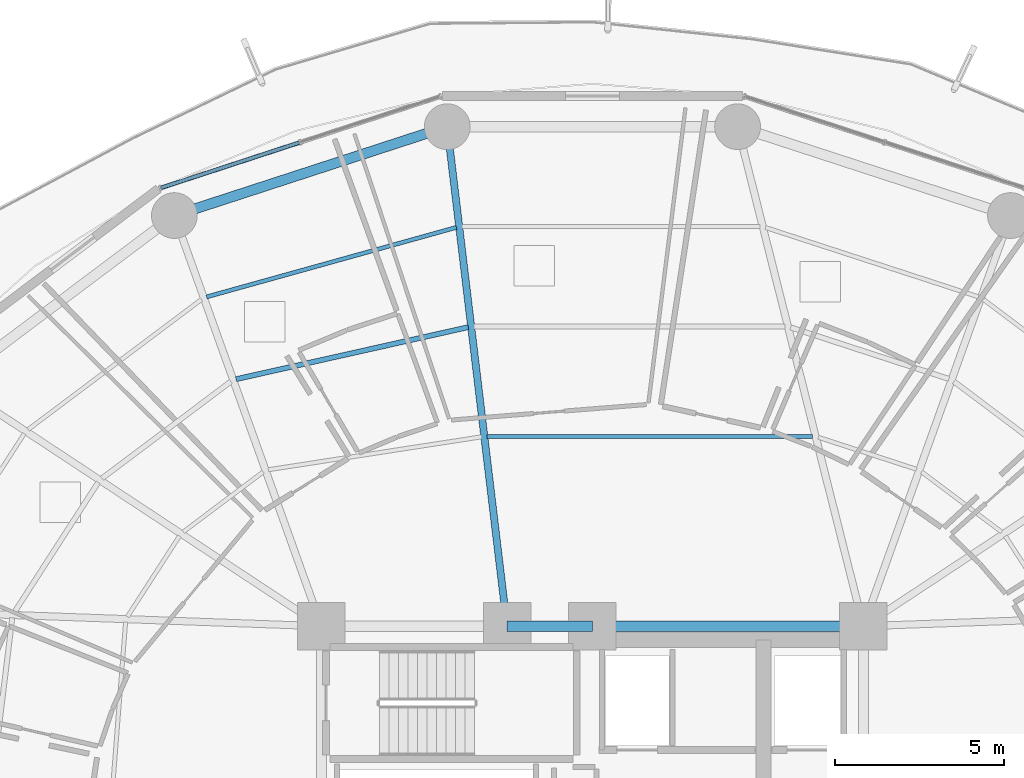
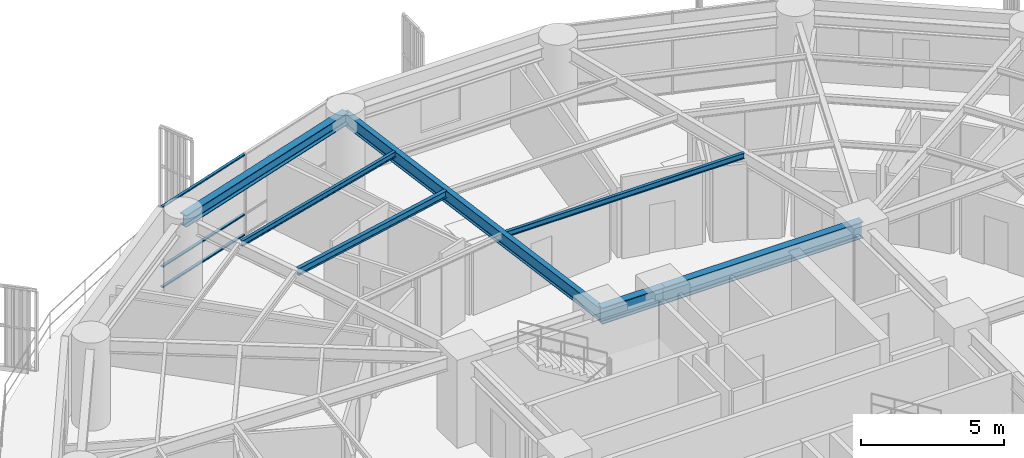
# One storey, part 18 of 33: 7 beams, 3 members, 1 element without a shape of its own.
"""IFC4 building model written with IfcOpenShell, lengths in metres."""

from ifc_helpers import new_model, si_unit, direction, frame, origin, origin_2d, place, context, subcontext, project, spatial, hollow_rectangle, i_section, extrude, material, layer, layer_set, material_profile, profile_set, type_object, element, aggregate, save


model = new_model("IFC4")

# Units and contexts
model_context = context("Model", 3, precision=1e-05, world=origin(), true_north=direction((0.0, 1.0)))
body_context = subcontext(model_context, "Body", "Model", "MODEL_VIEW")
ifc_project = project(units=[si_unit("LENGTHUNIT", "METRE"), si_unit("AREAUNIT", "SQUARE_METRE"), si_unit("VOLUMEUNIT", "CUBIC_METRE"), si_unit("PLANEANGLEUNIT", "RADIAN"), si_unit("MASSUNIT", "GRAM", prefix="KILO")], contexts=[model_context])

# Site, building, storey
site_placement = place(None, origin())
site = spatial("IfcSite", under=ifc_project, at=site_placement, CompositionType="ELEMENT")
building_placement = place(site_placement, origin())
building = spatial("IfcBuilding", under=site, at=building_placement, Name="Kelanora Arch Commons", CompositionType="ELEMENT")
storey_placement = place(building_placement, frame((0.0, 0.0, 80.10009765625)))
storey = spatial("IfcBuildingStorey", under=building, at=storey_placement, Name="L20", CompositionType="ELEMENT", Elevation=80.10009765625)

# Beams
ifc_material_1 = material(Name="Steel S355", Category="steel")
ifc_material_profile_1 = material_profile(ifc_material_1, i_section(OverallWidth=0.300048828125, OverallDepth=0.699951171875, WebThickness=0.01708984375, FlangeThickness=0.031982421875, FilletRadius=0.027099609375, at=origin_2d()), Name="HEB700")
ifc_profile_set_1 = profile_set([ifc_material_profile_1], Name="Steel S355")
beam_type_1 = type_object("IfcBeamType", Name="BM-CORE-HDR", PredefinedType="BEAM", material=ifc_profile_set_1)
beam_1_placement = place(storey_placement, frame((82.0, 65.0, 3.139892578125), z_axis=(-1.0, 0.0, 0.0), x_axis=(0.0, -1.0, 0.0)))
element("IfcBeam", 1, at=beam_1_placement, inside=storey, type_object=beam_type_1, Name="Core Header Beam 05 L20", PredefinedType="BEAM", context=body_context, shape_type="SweptSolid", body=[
    extrude(i_section(OverallWidth=0.300048828125, OverallDepth=0.699951171875, WebThickness=0.01708984375, FlangeThickness=0.031982421875, FilletRadius=0.027099609375, at=origin_2d()), origin(), (0.0, 0.0, 1.0), 8.0),
])
beam_2_placement = place(storey_placement, frame((74.0, 65.0, 3.139892578125), z_axis=(-1.0, 0.0, 0.0), x_axis=(0.0, -1.0, 0.0)))
element("IfcBeam", 2, at=beam_2_placement, inside=storey, type_object=beam_type_1, Name="Core Header Beam 06 L20", PredefinedType="BEAM", context=body_context, shape_type="SweptSolid", body=[
    extrude(i_section(OverallWidth=0.300048828125, OverallDepth=0.699951171875, WebThickness=0.01708984375, FlangeThickness=0.031982421875, FilletRadius=0.027099609375, at=origin_2d()), origin(), (0.0, 0.0, 1.0), 2.52001953125),
])
ifc_material_profile_2 = material_profile(ifc_material_1, i_section(OverallWidth=0.14990234375, OverallDepth=0.300048828125, WebThickness=0.007080078125, FlangeThickness=0.0107421875, FilletRadius=0.014892578125, at=origin_2d()), Name="IPE300")
ifc_profile_set_2 = profile_set([ifc_material_profile_2], Name="Steel S355")
beam_type_2 = type_object("IfcBeamType", Name="BM-JST-01", PredefinedType="JOIST", material=ifc_profile_set_2)
beam_3_placement = place(storey_placement, frame((70.337646484375, 73.828125, 3.33984375), z_axis=(-0.975817048791, -0.218588854449, 0.0), x_axis=(0.218588854449, -0.975817048791, 0.0)))
element("IfcBeam", 3, at=beam_3_placement, inside=storey, type_object=beam_type_2, Name="Secondary Chord Joist BJB-10 L20", PredefinedType="JOIST", context=body_context, shape_type="SweptSolid", body=[
    extrude(i_section(OverallWidth=0.14990234375, OverallDepth=0.300048828125, WebThickness=0.007080078125, FlangeThickness=0.0107421875, FilletRadius=0.014892578125, at=origin_2d()), origin(), (0.0, 0.0, 1.0), 7.028564453125),
])
ifc_material_profile_3 = material_profile(ifc_material_1, i_section(OverallWidth=0.1201171875, OverallDepth=0.239990234375, WebThickness=0.006103515625, FlangeThickness=0.009765625, FilletRadius=0.014892578125, at=origin_2d()), Name="IPE240")
ifc_profile_set_3 = profile_set([ifc_material_profile_3], Name="Steel S355")
beam_type_3 = type_object("IfcBeamType", Name="BM-JST-02", PredefinedType="JOIST", material=ifc_profile_set_3)
beam_4_placement = place(storey_placement, frame((80.50341796875, 70.602783203125, 3.369873046875), z_axis=(-1.0, 0.0, 0.0), x_axis=(0.0, -1.0, 0.0)))
element("IfcBeam", 4, at=beam_4_placement, inside=storey, type_object=beam_type_3, Name="Secondary Chord Joist BJA-08 L20", PredefinedType="JOIST", context=body_context, shape_type="SweptSolid", body=[
    extrude(i_section(OverallWidth=0.1201171875, OverallDepth=0.239990234375, WebThickness=0.006103515625, FlangeThickness=0.009765625, FilletRadius=0.014892578125, at=origin_2d()), origin(), (0.0, 0.0, 1.0), 9.609375),
])
beam_5_placement = place(storey_placement, frame((69.985595703125, 76.77294921875, 3.369873046875), z_axis=(-0.963385760896, -0.268119144603, 0.0), x_axis=(0.268119144603, -0.963385760896, 0.0)))
element("IfcBeam", 5, at=beam_5_placement, inside=storey, type_object=beam_type_3, Name="Secondary Chord Joist BJC-10 L20", PredefinedType="JOIST", context=body_context, shape_type="SweptSolid", body=[
    extrude(i_section(OverallWidth=0.1201171875, OverallDepth=0.239990234375, WebThickness=0.006103515625, FlangeThickness=0.009765625, FilletRadius=0.014892578125, at=origin_2d()), origin(), (0.0, 0.0, 1.0), 7.656005859375),
])
ifc_material_profile_4 = material_profile(ifc_material_1, i_section(OverallWidth=0.2099609375, OverallDepth=0.550048828125, WebThickness=0.010986328125, FlangeThickness=0.01708984375, FilletRadius=0.02392578125, at=origin_2d()), Name="IPE550")
ifc_profile_set_4 = profile_set([ifc_material_profile_4], Name="Steel S355")
beam_type_4 = type_object("IfcBeamType", Name="BM-RAD-Z2", PredefinedType="BEAM", material=ifc_profile_set_4)
beam_6_placement = place(storey_placement, frame((71.47998046875, 65.0, 3.21484375), z_axis=(-0.118897572414, 0.992906524943, 0.0), x_axis=(-0.992906524943, -0.118897572414, 0.0)))
element("IfcBeam", 6, at=beam_6_placement, inside=storey, type_object=beam_type_4, Name="Radial Floor Girder BR-10 L20", PredefinedType="BEAM", context=body_context, shape_type="SweptSolid", body=[
    extrude(i_section(OverallWidth=0.2099609375, OverallDepth=0.550048828125, WebThickness=0.010986328125, FlangeThickness=0.01708984375, FilletRadius=0.02392578125, at=origin_2d()), origin(), (0.0, 0.0, 1.0), 14.849853515625),
])
ifc_material_profile_5 = material_profile(ifc_material_1, i_section(OverallWidth=0.300048828125, OverallDepth=0.5, WebThickness=0.014404296875, FlangeThickness=0.028076171875, FilletRadius=0.027099609375, at=origin_2d()), Name="HEB500")
ifc_profile_set_5 = profile_set([ifc_material_profile_5], Name="Steel S355")
beam_type_5 = type_object("IfcBeamType", Name="BM-SPN-Z2", PredefinedType="SPANDREL", material=ifc_profile_set_5)
beam_7_placement = place(storey_placement, frame((69.71435546875, 79.74462890625, 3.239990234375), z_axis=(-0.950856631974, -0.309631499418, 0.0), x_axis=(0.309631499418, -0.950856631974, 0.0)))
element("IfcBeam", 7, at=beam_7_placement, inside=storey, type_object=beam_type_5, Name="Perimeter Spandrel Beam BS-10 L20", PredefinedType="SPANDREL", context=body_context, shape_type="SweptSolid", body=[
    extrude(i_section(OverallWidth=0.300048828125, OverallDepth=0.5, WebThickness=0.014404296875, FlangeThickness=0.028076171875, FilletRadius=0.027099609375, at=origin_2d()), origin(), (0.0, 0.0, 1.0), 8.470703125),
])

# Curtain wall, members
ifc_material_2 = material(Name="Terracotta ceramic-fritted low-E glass and aluminium", Category="masonry")
ifc_layer = layer(ifc_material_2, 0.159912109375)
ifc_layer_set = layer_set([ifc_layer], Name="Terracotta ceramic-fritted low-E glass and aluminium")
curtain_wall_type = type_object("IfcCurtainWallType", Name="CW-SYS-01", PredefinedType="NOTDEFINED", material=ifc_layer_set)
curtain_wall_placement = place(storey_placement, origin())
curtain_wall = element("IfcCurtainWall", 8, at=curtain_wall_placement, inside=storey, type_object=curtain_wall_type, Name="Unitised Curtain Wall L20-B05", PredefinedType="NOTDEFINED")
ifc_material_3 = material(Name="Powder-coated aluminium terracotta", Category="masonry")
ifc_material_profile_6 = material_profile(ifc_material_3, hollow_rectangle(XDim=0.1201171875, YDim=0.06005859375, WallThickness=0.0048828125, InnerFilletRadius=0.0048828125, OuterFilletRadius=0.010009765625, at=origin_2d()), Name="CWT120x60")
ifc_profile_set_6 = profile_set([ifc_material_profile_6], Name="Powder-coated aluminium terracotta")
member_type = type_object("IfcMemberType", Name="CWT-STD", PredefinedType="USERDEFINED", material=ifc_profile_set_6)
member_1_placement = place(storey_placement, frame((65.348876953125, 79.275390625, 0.02978515625), z_axis=(-0.950466230394, -0.310827838008, 0.0), x_axis=(0.310827838008, -0.950466230394, 0.0)))
member_1 = element("IfcMember", 9, at=member_1_placement, type_object=member_type, Name="CW-01 transom 2.1", ObjectType="TRANSOM", PredefinedType="USERDEFINED", context=body_context, shape_type="SweptSolid", body=[
    extrude(hollow_rectangle(XDim=0.1201171875, YDim=0.06005859375, WallThickness=0.0048828125, InnerFilletRadius=0.0048828125, OuterFilletRadius=0.010009765625, at=origin_2d()), origin(), (0.0, 0.0, 1.0), 4.2900390625),
])
member_2_placement = place(storey_placement, frame((65.348876953125, 79.275390625, 0.89990234375), z_axis=(-0.950466230394, -0.310827838008, 0.0), x_axis=(0.310827838008, -0.950466230394, 0.0)))
member_2 = element("IfcMember", 10, at=member_2_placement, type_object=member_type, Name="CW-01 transom 2.2", ObjectType="TRANSOM", PredefinedType="USERDEFINED", context=body_context, shape_type="SweptSolid", body=[
    extrude(hollow_rectangle(XDim=0.1201171875, YDim=0.06005859375, WallThickness=0.0048828125, InnerFilletRadius=0.0048828125, OuterFilletRadius=0.010009765625, at=origin_2d()), origin(), (0.0, 0.0, 1.0), 4.2900390625),
])
member_3_placement = place(storey_placement, frame((65.348876953125, 79.275390625, 3.44482421875), z_axis=(-0.950466230394, -0.310827838008, 0.0), x_axis=(0.310827838008, -0.950466230394, 0.0)))
member_3 = element("IfcMember", 11, at=member_3_placement, type_object=member_type, Name="CW-01 transom 2.3", ObjectType="TRANSOM", PredefinedType="USERDEFINED", context=body_context, shape_type="SweptSolid", body=[
    extrude(hollow_rectangle(XDim=0.1201171875, YDim=0.06005859375, WallThickness=0.0048828125, InnerFilletRadius=0.0048828125, OuterFilletRadius=0.010009765625, at=origin_2d()), origin(), (0.0, 0.0, 1.0), 4.2900390625),
])
aggregate(curtain_wall, [member_1, member_2, member_3])

save(model, "model.ifc")
